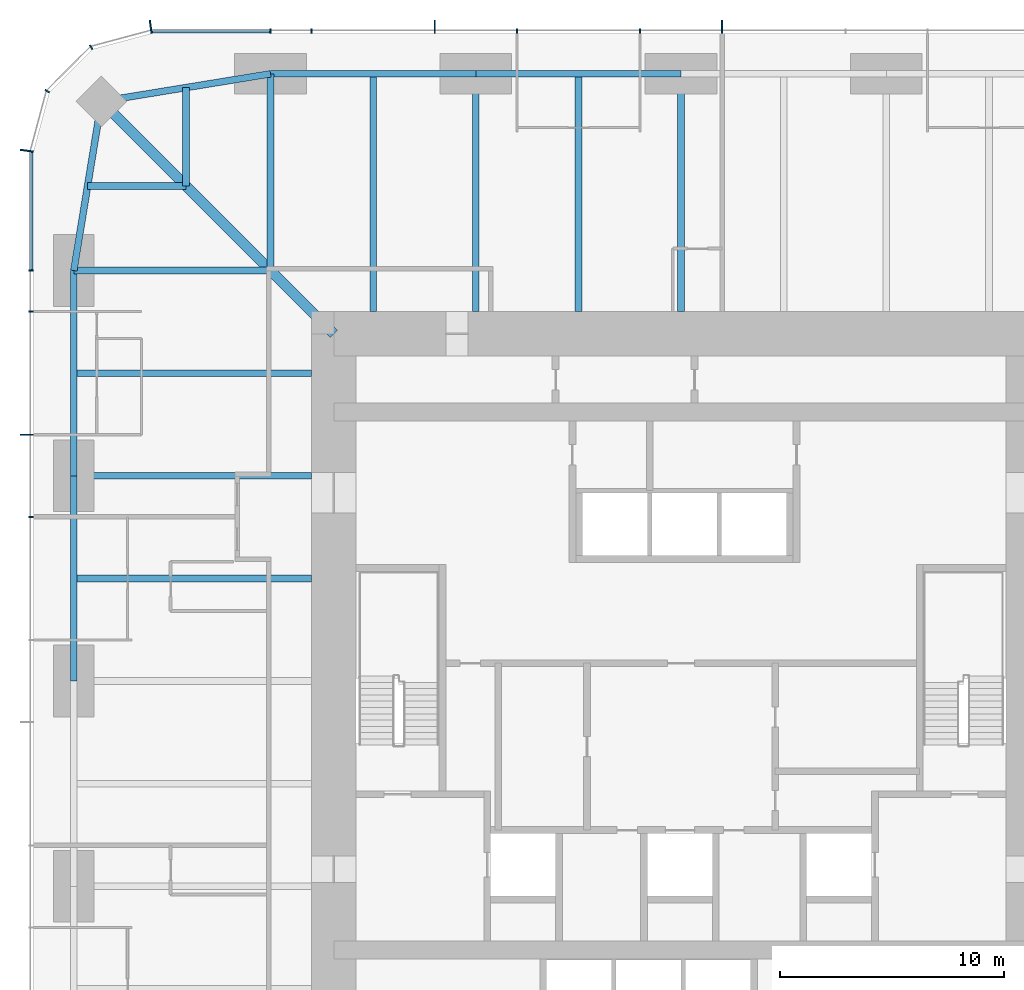
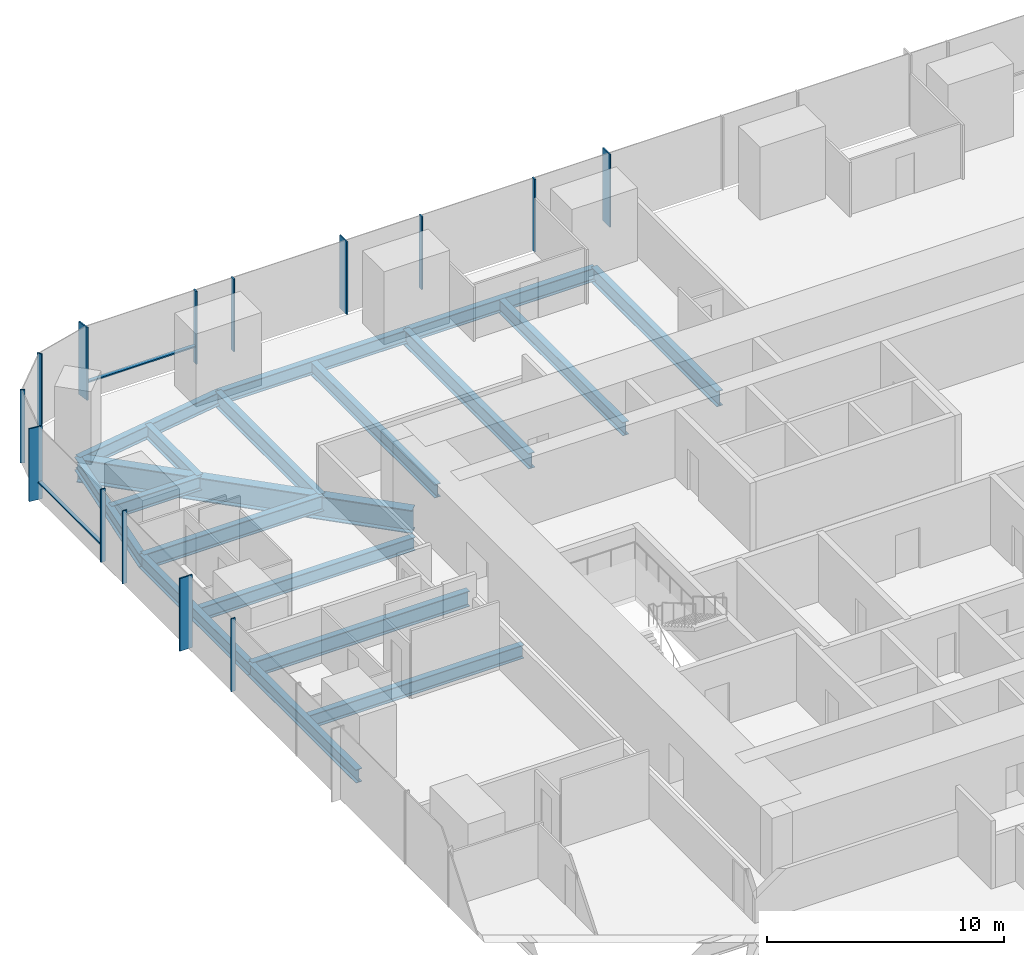
# One storey, part 5 of 13: 18 beams, 16 members, 3 elements without a shape of their own.
"""IFC4 building model written with IfcOpenShell, lengths in metres."""

from ifc_helpers import new_model, si_unit, direction, frame, origin, origin_2d, place, context, subcontext, project, spatial, rectangle, i_section, extrude, material, material_profile, profile_set, type_object, element, aggregate, save


model = new_model("IFC4")

# Units and contexts
model_context = context("Model", 3, precision=1e-05, world=origin(), true_north=direction((0.0, 1.0)))
body_context = subcontext(model_context, "Body", "Model", "MODEL_VIEW")
ifc_project = project(units=[si_unit("LENGTHUNIT", "METRE"), si_unit("AREAUNIT", "SQUARE_METRE"), si_unit("VOLUMEUNIT", "CUBIC_METRE"), si_unit("PLANEANGLEUNIT", "RADIAN"), si_unit("MASSUNIT", "GRAM", prefix="KILO")], contexts=[model_context])

# Site, building, storey
site_placement = place(None, origin())
site = spatial("IfcSite", under=ifc_project, at=site_placement, CompositionType="ELEMENT")
building_placement = place(site_placement, origin())
building = spatial("IfcBuilding", under=site, at=building_placement, Name="Khuree Lantern Residences", CompositionType="ELEMENT")
storey_placement = place(building_placement, frame((0.0, 0.0, 129.75)))
storey = spatial("IfcBuildingStorey", under=building, at=storey_placement, Name="L32", CompositionType="ELEMENT", Elevation=129.75)

# Beams
ifc_material_1 = material(Name="Steel S355", Category="steel")
ifc_material_profile_1 = material_profile(ifc_material_1, i_section(OverallWidth=0.300048828125, OverallDepth=0.68994140625, WebThickness=0.014404296875, FlangeThickness=0.027099609375, FilletRadius=0.027099609375, at=origin_2d()), Name="HE 700 A")
ifc_profile_set_1 = profile_set([ifc_material_profile_1], Name="Steel S355")
beam_type_1 = type_object("IfcBeamType", Name="B-22 SECONDARY BEAM HE 700 A", PredefinedType="BEAM", material=ifc_profile_set_1)
for number, where, z_axis, x_axis, name in (
    (1, (-13.739990234375, 27.10009765625, -0.594970703125), (0.0, -1.0, 0.0), (1.0, 0.0, 0.0), "Secondary beam N1"),
    (2, (-4.580078125, 27.10009765625, -0.594970703125), (0.0, -1.0, 0.0), (1.0, 0.0, 0.0), "Secondary beam N2"),
    (3, (-27.10009765625, 4.580078125, -0.594970703125), (1.0, 0.0, 0.0), (0.0, 1.0, 0.0), "Secondary beam W4"),
    (4, (-27.10009765625, 13.739990234375, -0.594970703125), (1.0, 0.0, 0.0), (0.0, 1.0, 0.0), "Secondary beam W5"),
):
    element("IfcBeam", number, at=place(storey_placement, frame(where, z_axis=z_axis, x_axis=x_axis)), inside=storey, type_object=beam_type_1, Name=name, PredefinedType="BEAM", context=body_context, shape_type="SweptSolid", body=[
        extrude(i_section(OverallWidth=0.300048828125, OverallDepth=0.68994140625, WebThickness=0.014404296875, FlangeThickness=0.027099609375, FilletRadius=0.027099609375, at=origin_2d()), origin(), (0.0, 0.0, 1.0), 10.60009765625),
    ])
for number, where, z_axis, x_axis, name in (
    (5, (-26.48486328125, 22.094970703125, -0.594970703125), (1.0, 0.0, 0.0), (0.0, 1.0, 0.0), "Secondary beam W6"),
    (6, (-22.094970703125, 26.48486328125, -0.594970703125), (0.0, -1.0, 0.0), (1.0, 0.0, 0.0), "Secondary beam N6"),
):
    element("IfcBeam", number, at=place(storey_placement, frame(where, z_axis=z_axis, x_axis=x_axis)), inside=storey, type_object=beam_type_1, Name=name, PredefinedType="BEAM", context=body_context, shape_type="SweptSolid", body=[
        extrude(i_section(OverallWidth=0.300048828125, OverallDepth=0.68994140625, WebThickness=0.014404296875, FlangeThickness=0.027099609375, FilletRadius=0.027099609375, at=origin_2d()), origin(), (0.0, 0.0, 1.0), 4.389892578125),
    ])
ifc_material_profile_2 = material_profile(ifc_material_1, i_section(OverallWidth=0.300048828125, OverallDepth=0.68994140625, WebThickness=0.014404296875, FlangeThickness=0.027099609375, FilletRadius=0.027099609375, at=origin_2d()), Name="HE 700 A")
ifc_profile_set_2 = profile_set([ifc_material_profile_2], Name="Steel S355")
beam_type_2 = type_object("IfcBeamType", Name="E-22 SPANDREL BEAM HE 700 A", PredefinedType="SPANDREL", material=ifc_profile_set_2)
beam_1_placement = place(storey_placement, frame((-18.320068359375, 27.10009765625, -0.594970703125), z_axis=(1.0, 0.0, 0.0), x_axis=(0.0, 1.0, 0.0)))
element("IfcBeam", 7, at=beam_1_placement, inside=storey, type_object=beam_type_2, Name="Spandrel beam N1", PredefinedType="SPANDREL", context=body_context, shape_type="SweptSolid", body=[
    extrude(i_section(OverallWidth=0.300048828125, OverallDepth=0.68994140625, WebThickness=0.014404296875, FlangeThickness=0.027099609375, FilletRadius=0.027099609375, at=origin_2d()), origin(), (0.0, 0.0, 1.0), 9.16015625),
])
for number, where, z_axis, x_axis, name in (
    (8, (-9.159912109375, 27.10009765625, -0.594970703125), (1.0, 0.0, 0.0), (0.0, 1.0, 0.0), "Spandrel beam N2"),
    (9, (-27.10009765625, 0.0, -0.594970703125), (0.0, 1.0, 0.0), (-1.0, 0.0, 0.0), "Spandrel beam W4"),
):
    element("IfcBeam", number, at=place(storey_placement, frame(where, z_axis=z_axis, x_axis=x_axis)), inside=storey, type_object=beam_type_2, Name=name, PredefinedType="SPANDREL", context=body_context, shape_type="SweptSolid", body=[
        extrude(i_section(OverallWidth=0.300048828125, OverallDepth=0.68994140625, WebThickness=0.014404296875, FlangeThickness=0.027099609375, FilletRadius=0.027099609375, at=origin_2d()), origin(), (0.0, 0.0, 1.0), 9.159912109375),
    ])
beam_2_placement = place(storey_placement, frame((-27.10009765625, 9.159912109375, -0.594970703125), z_axis=(0.0, 1.0, 0.0), x_axis=(-1.0, 0.0, 0.0)))
element("IfcBeam", 10, at=beam_2_placement, inside=storey, type_object=beam_type_2, Name="Spandrel beam W5", PredefinedType="SPANDREL", context=body_context, shape_type="SweptSolid", body=[
    extrude(i_section(OverallWidth=0.300048828125, OverallDepth=0.68994140625, WebThickness=0.014404296875, FlangeThickness=0.027099609375, FilletRadius=0.027099609375, at=origin_2d()), origin(), (0.0, 0.0, 1.0), 9.16015625),
])
for number, where, z_axis, x_axis, name in (
    (11, (-27.10009765625, 18.320068359375, -0.594970703125), (0.160826723833, 0.986982656839, 0.0), (-0.986982656839, 0.160826723833, 0.0), "Spandrel beam W6"),
    (12, (-25.869873046875, 25.869873046875, -0.594970703125), (0.986982656839, 0.160826723833, 0.0), (-0.160826723833, 0.986982656839, 0.0), "Spandrel beam N6"),
):
    element("IfcBeam", number, at=place(storey_placement, frame(where, z_axis=z_axis, x_axis=x_axis)), inside=storey, type_object=beam_type_2, Name=name, PredefinedType="SPANDREL", context=body_context, shape_type="SweptSolid", body=[
        extrude(i_section(OverallWidth=0.300048828125, OverallDepth=0.68994140625, WebThickness=0.014404296875, FlangeThickness=0.027099609375, FilletRadius=0.027099609375, at=origin_2d()), origin(), (0.0, 0.0, 1.0), 7.6494140625),
    ])

# Curtain wall, members
ifc_material_2 = material(Name="Bronze anodised aluminium", Category="aluminium")
curtain_wall_type_1 = type_object("IfcCurtainWallType", Name="CW-T1 TOWER FACE CURTAIN WALL", PredefinedType="USERDEFINED", material=ifc_material_2)
curtain_wall_1_placement = place(storey_placement, origin())
curtain_wall_1 = element("IfcCurtainWall", 13, at=curtain_wall_1_placement, inside=storey, type_object=curtain_wall_type_1, Name="L32 NORTH FACE CURTAIN WALL", ObjectType="Stick-built curtain wall", PredefinedType="USERDEFINED")
ifc_material_profile_3 = material_profile(ifc_material_2, rectangle(XDim=0.06494140625, YDim=0.60009765625, at=origin_2d()), Name="F1 65X600")
ifc_profile_set_3 = profile_set([ifc_material_profile_3], Name="Bronze anodised aluminium")
member_type_1 = type_object("IfcMemberType", Name="F1 BRONZE FIN MULLION TOWER 65X600", PredefinedType="MULLION", material=ifc_profile_set_3)
member_1_placement = place(storey_placement, frame((1.83203125, 29.199951171875, 0.0), z_axis=(0.0, 0.0, 1.0), x_axis=(-1.0, 0.0, 0.0)))
member_1 = element("IfcMember", 14, at=member_1_placement, type_object=member_type_1, Name="L32 NORTH FACE FIN MULLION 23", PredefinedType="MULLION", context=body_context, shape_type="SweptSolid", body=[
    extrude(rectangle(XDim=0.06494140625, YDim=0.60009765625, at=origin_2d()), origin(), (0.0, 0.0, 1.0), 3.75),
])
member_2_placement = place(storey_placement, frame((-10.991943359375, 29.199951171875, 0.0), z_axis=(0.0, 0.0, 1.0), x_axis=(-1.0, 0.0, 0.0)))
member_2 = element("IfcMember", 15, at=member_2_placement, type_object=member_type_1, Name="L32 NORTH FACE FIN MULLION 26", PredefinedType="MULLION", context=body_context, shape_type="SweptSolid", body=[
    extrude(rectangle(XDim=0.06494140625, YDim=0.60009765625, at=origin_2d()), origin(), (0.0, 0.0, 1.0), 3.75),
])

# Curtain wall, member
curtain_wall_type_2 = type_object("IfcCurtainWallType", Name="CW-T2 TOWER CORNER CURTAIN WALL", PredefinedType="USERDEFINED", material=ifc_material_2)
curtain_wall_2_placement = place(storey_placement, origin())
curtain_wall_2 = element("IfcCurtainWall", 16, at=curtain_wall_2_placement, inside=storey, type_object=curtain_wall_type_2, Name="L32 NORTH-WEST CORNER CURTAIN WALL", ObjectType="Faceted corner curtain wall", PredefinedType="USERDEFINED")
member_3_placement = place(storey_placement, frame((-23.669677734375, 29.2001953125, 0.0), z_axis=(0.0, 0.0, 1.0), x_axis=(-0.991444857305, -0.130526223125, 0.0)))
member_3 = element("IfcMember", 17, at=member_3_placement, type_object=member_type_1, Name="L32 NORTH-WEST CORNER FIN MULLION 29", PredefinedType="MULLION", context=body_context, shape_type="SweptSolid", body=[
    extrude(rectangle(XDim=0.06494140625, YDim=0.60009765625, at=origin_2d()), origin(), (0.0, 0.0, 1.0), 3.75),
])

# Curtain wall, members
curtain_wall_3_placement = place(storey_placement, origin())
curtain_wall_3 = element("IfcCurtainWall", 18, at=curtain_wall_3_placement, inside=storey, type_object=curtain_wall_type_1, Name="L32 WEST FACE CURTAIN WALL", ObjectType="Stick-built curtain wall", PredefinedType="USERDEFINED")
member_4_placement = place(storey_placement, frame((-29.2001953125, 23.669677734375, 0.0), z_axis=(0.0, 0.0, 1.0), x_axis=(-0.130526223125, -0.991444857305, 0.0)))
member_4 = element("IfcMember", 19, at=member_4_placement, type_object=member_type_1, Name="L32 WEST FACE FIN MULLION 32", PredefinedType="MULLION", context=body_context, shape_type="SweptSolid", body=[
    extrude(rectangle(XDim=0.06494140625, YDim=0.60009765625, at=origin_2d()), origin(), (0.0, 0.0, 1.0), 3.75),
])
member_5_placement = place(storey_placement, frame((-29.199951171875, 10.991943359375, 0.0), z_axis=(0.0, 0.0, 1.0), x_axis=(0.0, -1.0, 0.0)))
member_5 = element("IfcMember", 20, at=member_5_placement, type_object=member_type_1, Name="L32 WEST FACE FIN MULLION 35", PredefinedType="MULLION", context=body_context, shape_type="SweptSolid", body=[
    extrude(rectangle(XDim=0.06494140625, YDim=0.60009765625, at=origin_2d()), origin(), (0.0, 0.0, 1.0), 3.75),
])

# Beams
ifc_material_profile_4 = material_profile(ifc_material_1, i_section(OverallWidth=0.300048828125, OverallDepth=0.800048828125, WebThickness=0.017578125, FlangeThickness=0.032958984375, FilletRadius=0.030029296875, at=origin_2d()), Name="HE 800 B")
ifc_profile_set_4 = profile_set([ifc_material_profile_4], Name="Steel S355")
beam_type_3 = type_object("IfcBeamType", Name="G-22 GIRDER HE 800 B", PredefinedType="BEAM", material=ifc_profile_set_4)
beam_3_placement = place(storey_placement, frame((-18.320068359375, 27.10009765625, -0.64990234375), z_axis=(0.0, -1.0, 0.0), x_axis=(1.0, 0.0, 0.0)))
element("IfcBeam", 21, at=beam_3_placement, inside=storey, type_object=beam_type_3, Name="Girder N1", PredefinedType="BEAM", context=body_context, shape_type="SweptSolid", body=[
    extrude(i_section(OverallWidth=0.300048828125, OverallDepth=0.800048828125, WebThickness=0.017578125, FlangeThickness=0.032958984375, FilletRadius=0.030029296875, at=origin_2d()), origin(), (0.0, 0.0, 1.0), 8.780029296875),
])
for number, where, z_axis, x_axis, name in (
    (22, (-9.159912109375, 27.10009765625, -0.64990234375), (0.0, -1.0, 0.0), (1.0, 0.0, 0.0), "Girder N2"),
    (23, (0.0, 27.10009765625, -0.64990234375), (0.0, -1.0, 0.0), (1.0, 0.0, 0.0), "Girder N3"),
    (24, (-27.10009765625, 9.159912109375, -0.64990234375), (1.0, 0.0, 0.0), (0.0, 1.0, 0.0), "Girder W4"),
):
    element("IfcBeam", number, at=place(storey_placement, frame(where, z_axis=z_axis, x_axis=x_axis)), inside=storey, type_object=beam_type_3, Name=name, PredefinedType="BEAM", context=body_context, shape_type="SweptSolid", body=[
        extrude(i_section(OverallWidth=0.300048828125, OverallDepth=0.800048828125, WebThickness=0.017578125, FlangeThickness=0.032958984375, FilletRadius=0.030029296875, at=origin_2d()), origin(), (0.0, 0.0, 1.0), 10.60009765625),
    ])
beam_4_placement = place(storey_placement, frame((-27.10009765625, 18.320068359375, -0.64990234375), z_axis=(1.0, 0.0, 0.0), x_axis=(0.0, 1.0, 0.0)))
element("IfcBeam", 25, at=beam_4_placement, inside=storey, type_object=beam_type_3, Name="Girder W5", PredefinedType="BEAM", context=body_context, shape_type="SweptSolid", body=[
    extrude(i_section(OverallWidth=0.300048828125, OverallDepth=0.800048828125, WebThickness=0.017578125, FlangeThickness=0.032958984375, FilletRadius=0.030029296875, at=origin_2d()), origin(), (0.0, 0.0, 1.0), 8.780029296875),
])
ifc_material_profile_5 = material_profile(ifc_material_1, i_section(OverallWidth=0.449951171875, OverallDepth=1.199951171875, WebThickness=0.02490234375, FlangeThickness=0.044921875, at=origin_2d()), Name="WELDED I 1200X450X25X45")
ifc_profile_set_5 = profile_set([ifc_material_profile_5], Name="Steel S355")
beam_type_4 = type_object("IfcBeamType", Name="GD-22 CORNER GIRDER WELDED I 1200X450X25X45", PredefinedType="BEAM", material=ifc_profile_set_5)
beam_5_placement = place(storey_placement, frame((-25.869873046875, 25.869873046875, -0.85009765625), z_axis=(0.707106781187, -0.707106781187, 0.0), x_axis=(0.707106781187, 0.707106781187, 0.0)))
element("IfcBeam", 26, at=beam_5_placement, inside=storey, type_object=beam_type_4, Name="Corner girder NW", PredefinedType="BEAM", context=body_context, shape_type="SweptSolid", body=[
    extrude(i_section(OverallWidth=0.449951171875, OverallDepth=1.199951171875, WebThickness=0.02490234375, FlangeThickness=0.044921875, at=origin_2d()), origin(), (0.0, 0.0, 1.0), 14.665283203125),
])

# Member
ifc_material_profile_6 = material_profile(ifc_material_2, rectangle(XDim=0.06494140625, YDim=0.219970703125, at=origin_2d()), Name="M1 65X220")
ifc_profile_set_6 = profile_set([ifc_material_profile_6], Name="Bronze anodised aluminium")
member_type_2 = type_object("IfcMemberType", Name="M1 BRONZE MULLION TOWER 65X220", PredefinedType="MULLION", material=ifc_profile_set_6)
member_6_placement = place(storey_placement, frame((-1.83203125, 29.010009765625, 0.0), z_axis=(0.0, 0.0, 1.0), x_axis=(-1.0, 0.0, 0.0)))
member_6 = element("IfcMember", 27, at=member_6_placement, type_object=member_type_2, Name="L32 NORTH FACE MULLION 24", PredefinedType="MULLION", context=body_context, shape_type="SweptSolid", body=[
    extrude(rectangle(XDim=0.06494140625, YDim=0.219970703125, at=origin_2d()), origin(), (0.0, 0.0, 1.0), 3.75),
])

member_7_placement = place(storey_placement, frame((-7.327880859375, 29.010009765625, 0.0), z_axis=(0.0, 0.0, 1.0), x_axis=(-1.0, 0.0, 0.0)))
member_7 = element("IfcMember", 28, at=member_7_placement, type_object=member_type_2, Name="L32 NORTH FACE MULLION 25", PredefinedType="MULLION", context=body_context, shape_type="SweptSolid", body=[
    extrude(rectangle(XDim=0.06494140625, YDim=0.219970703125, at=origin_2d()), origin(), (0.0, 0.0, 1.0), 3.75),
])

member_8_placement = place(storey_placement, frame((-16.488037109375, 29.010009765625, 0.0), z_axis=(0.0, 0.0, 1.0), x_axis=(-1.0, 0.0, 0.0)))
member_8 = element("IfcMember", 29, at=member_8_placement, type_object=member_type_2, Name="L32 NORTH FACE MULLION 27", PredefinedType="MULLION", context=body_context, shape_type="SweptSolid", body=[
    extrude(rectangle(XDim=0.06494140625, YDim=0.219970703125, at=origin_2d()), origin(), (0.0, 0.0, 1.0), 3.75),
])

member_9_placement = place(storey_placement, frame((-18.320068359375, 29.010009765625, 0.0), z_axis=(0.0, 0.0, 1.0), x_axis=(-1.0, 0.0, 0.0)))
member_9 = element("IfcMember", 30, at=member_9_placement, type_object=member_type_2, Name="L32 NORTH FACE MULLION 28", PredefinedType="MULLION", context=body_context, shape_type="SweptSolid", body=[
    extrude(rectangle(XDim=0.06494140625, YDim=0.219970703125, at=origin_2d()), origin(), (0.0, 0.0, 1.0), 3.75),
])

member_10_placement = place(storey_placement, frame((-26.330078125, 28.2919921875, 0.0), z_axis=(0.0, 0.0, 1.0), x_axis=(-0.866025388199, -0.500000026995, 0.0)))
member_10 = element("IfcMember", 31, at=member_10_placement, type_object=member_type_2, Name="L32 NORTH-WEST CORNER MULLION 30", PredefinedType="MULLION", context=body_context, shape_type="SweptSolid", body=[
    extrude(rectangle(XDim=0.06494140625, YDim=0.219970703125, at=origin_2d()), origin(), (0.0, 0.0, 1.0), 3.75),
])

member_11_placement = place(storey_placement, frame((-28.2919921875, 26.330078125, 0.0), z_axis=(0.0, 0.0, 1.0), x_axis=(-0.500000026995, -0.866025388199, 0.0)))
member_11 = element("IfcMember", 32, at=member_11_placement, type_object=member_type_2, Name="L32 NORTH-WEST CORNER MULLION 31", PredefinedType="MULLION", context=body_context, shape_type="SweptSolid", body=[
    extrude(rectangle(XDim=0.06494140625, YDim=0.219970703125, at=origin_2d()), origin(), (0.0, 0.0, 1.0), 3.75),
])

aggregate(curtain_wall_2, [member_3, member_10, member_11])

member_12_placement = place(storey_placement, frame((-29.010009765625, 18.320068359375, 0.0), z_axis=(0.0, 0.0, 1.0), x_axis=(0.0, -1.0, 0.0)))
member_12 = element("IfcMember", 33, at=member_12_placement, type_object=member_type_2, Name="L32 WEST FACE MULLION 33", PredefinedType="MULLION", context=body_context, shape_type="SweptSolid", body=[
    extrude(rectangle(XDim=0.06494140625, YDim=0.219970703125, at=origin_2d()), origin(), (0.0, 0.0, 1.0), 3.75),
])

member_13_placement = place(storey_placement, frame((-29.010009765625, 16.488037109375, 0.0), z_axis=(0.0, 0.0, 1.0), x_axis=(0.0, -1.0, 0.0)))
member_13 = element("IfcMember", 34, at=member_13_placement, type_object=member_type_2, Name="L32 WEST FACE MULLION 34", PredefinedType="MULLION", context=body_context, shape_type="SweptSolid", body=[
    extrude(rectangle(XDim=0.06494140625, YDim=0.219970703125, at=origin_2d()), origin(), (0.0, 0.0, 1.0), 3.75),
])

member_14_placement = place(storey_placement, frame((-29.010009765625, 7.327880859375, 0.0), z_axis=(0.0, 0.0, 1.0), x_axis=(0.0, -1.0, 0.0)))
member_14 = element("IfcMember", 35, at=member_14_placement, type_object=member_type_2, Name="L32 WEST FACE MULLION 36", PredefinedType="MULLION", context=body_context, shape_type="SweptSolid", body=[
    extrude(rectangle(XDim=0.06494140625, YDim=0.219970703125, at=origin_2d()), origin(), (0.0, 0.0, 1.0), 3.75),
])

ifc_material_profile_7 = material_profile(ifc_material_2, rectangle(XDim=0.179931640625, YDim=0.06494140625, at=origin_2d()), Name="T1 180X65")
ifc_profile_set_7 = profile_set([ifc_material_profile_7], Name="Bronze anodised aluminium")
member_type_3 = type_object("IfcMemberType", Name="TRANSOM T1 TOWER 180X65", PredefinedType="USERDEFINED", material=ifc_profile_set_7)
member_15_placement = place(storey_placement, frame((-18.3525390625, 29.02001953125, 0.89990234375), z_axis=(-1.0, 0.0, 0.0), x_axis=(0.0, -1.0, 0.0)))
member_15 = element("IfcMember", 36, at=member_15_placement, type_object=member_type_3, Name="L32 NORTH FACE TRANSOM 28.1", ObjectType="Transom", PredefinedType="USERDEFINED", context=body_context, shape_type="SweptSolid", body=[
    extrude(rectangle(XDim=0.179931640625, YDim=0.06494140625, at=origin_2d()), origin(), (0.0, 0.0, 1.0), 5.248779296875),
])

aggregate(curtain_wall_1, [member_1, member_6, member_7, member_2, member_8, member_9, member_15])

member_16_placement = place(storey_placement, frame((-29.02001953125, 23.601318359375, 0.89990234375), z_axis=(0.0, -1.0, 0.0), x_axis=(1.0, 0.0, 0.0)))
member_16 = element("IfcMember", 37, at=member_16_placement, type_object=member_type_3, Name="L32 WEST FACE TRANSOM 32.1", ObjectType="Transom", PredefinedType="USERDEFINED", context=body_context, shape_type="SweptSolid", body=[
    extrude(rectangle(XDim=0.179931640625, YDim=0.06494140625, at=origin_2d()), origin(), (0.0, 0.0, 1.0), 5.248779296875),
])

aggregate(curtain_wall_3, [member_4, member_12, member_13, member_5, member_14, member_16])

save(model, "model.ifc")
